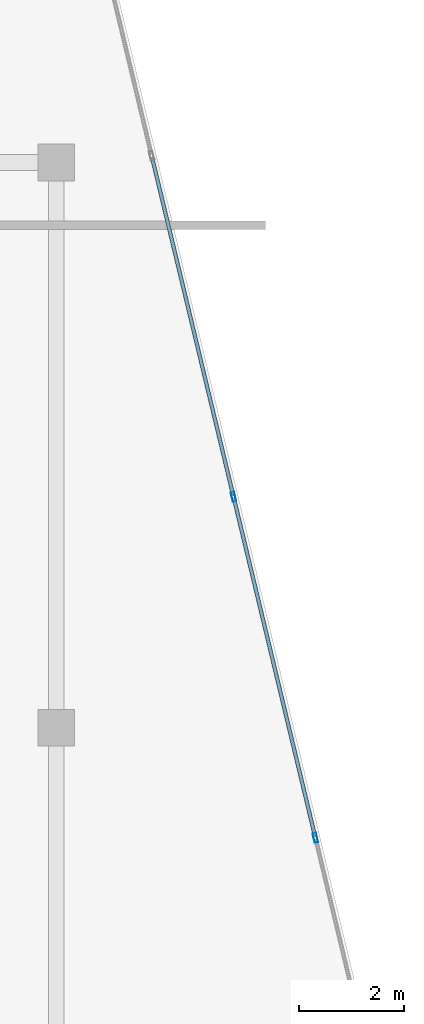
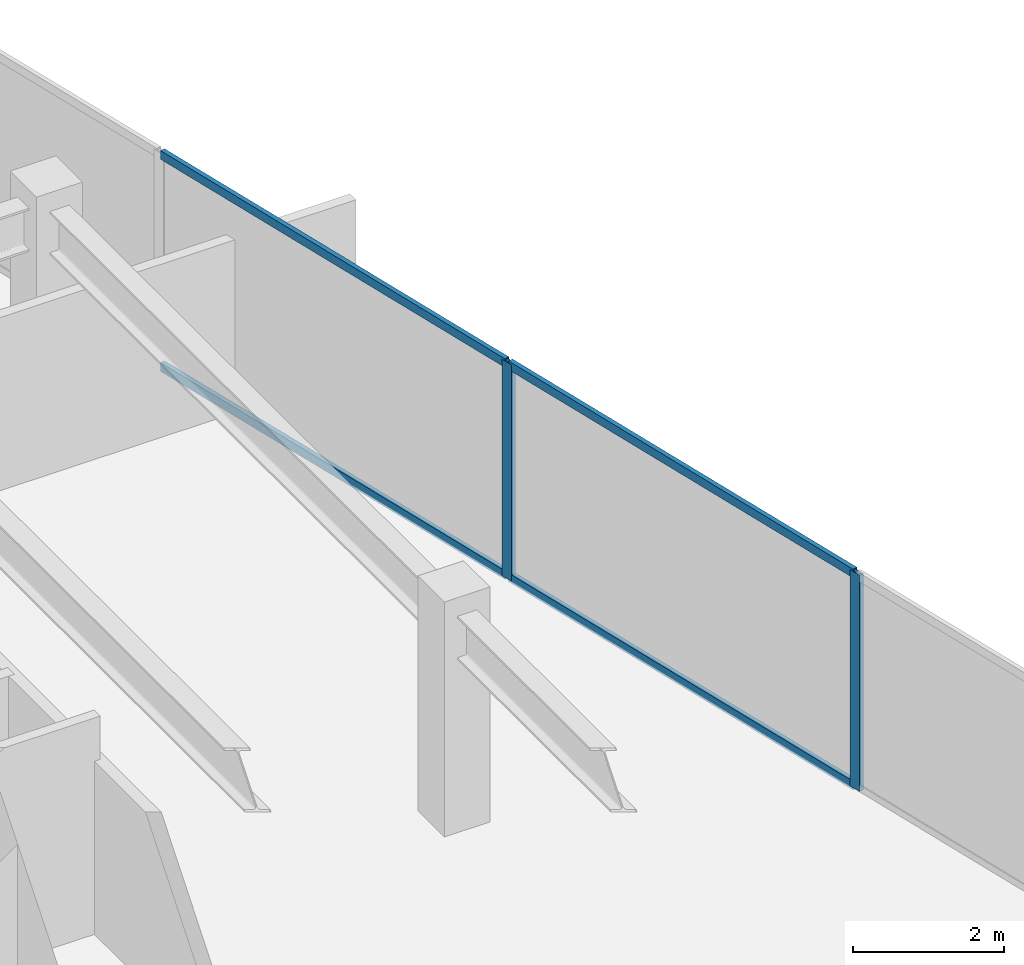
# One storey, part 11 of 19: 6 members, 1 element without a shape of its own.
"""IFC4 building model written with IfcOpenShell, lengths in metres."""

from ifc_helpers import new_model, si_unit, direction, frame, origin, origin_2d, place, context, subcontext, project, spatial, hollow_rectangle, extrude, source, transform, mapped, material, material_profile, profile_set, type_object, type_shapes, element, aggregate, save


model = new_model("IFC4")

# Units and contexts
model_context = context("Model", 3, precision=1e-05, world=origin(), true_north=direction((0.0, 1.0)))
body_context = subcontext(model_context, "Body", "Model", "MODEL_VIEW")
ifc_project = project(units=[si_unit("LENGTHUNIT", "METRE"), si_unit("AREAUNIT", "SQUARE_METRE"), si_unit("VOLUMEUNIT", "CUBIC_METRE"), si_unit("PLANEANGLEUNIT", "RADIAN"), si_unit("MASSUNIT", "GRAM", prefix="KILO")], contexts=[model_context])

# Site, building, storey
site_placement = place(None, origin())
site = spatial("IfcSite", under=ifc_project, at=site_placement, CompositionType="ELEMENT")
building_placement = place(site_placement, origin())
building = spatial("IfcBuilding", under=site, at=building_placement, Name="Krantzveldt Concourse Tower", CompositionType="ELEMENT")
storey_placement = place(building_placement, frame((0.0, 0.0, 363.25)))
storey = spatial("IfcBuildingStorey", under=building, at=storey_placement, Name="L89", CompositionType="ELEMENT", Elevation=363.25)

# Curtain wall, members
ifc_material = material(Name="Anodised aluminium 6063-T6", Category="aluminium")
curtain_wall_type = type_object("IfcCurtainWallType", Name="CW7", PredefinedType="USERDEFINED", material=ifc_material)
curtain_wall_placement = place(storey_placement, origin())
curtain_wall = element("IfcCurtainWall", 1, at=curtain_wall_placement, inside=storey, type_object=curtain_wall_type, Name="CW-L89-BASE-10", ObjectType="UNITISED CURTAIN WALL", PredefinedType="USERDEFINED")
ifc_material_profile_1 = material_profile(ifc_material, hollow_rectangle(XDim=0.070068359375, YDim=0.139892578125, WallThickness=0.0048828125, at=origin_2d()), Name="Anodised aluminium 6063-T6", Category="aluminium")
ifc_profile_set_1 = profile_set([ifc_material_profile_1], Name="Anodised aluminium 6063-T6 - ALU-TRAN 140x70x5")
member_type_1 = type_object("IfcMemberType", Name="CW-TRN-150", PredefinedType="USERDEFINED", material=ifc_profile_set_1)
shared_shape_1 = source(origin(), body_context, "Body", "SweptSolid", [
    extrude(hollow_rectangle(XDim=0.070068359375, YDim=0.139892578125, WallThickness=0.0048828125, at=origin_2d()), origin(), (0.0, 0.0, 1.0), 6.6298828125),
])
type_shapes(member_type_1, [shared_shape_1])
member_1_placement = place(storey_placement, frame((55.943359375, 24.633544921875, 0.034912109375), z_axis=(-0.233427268888, 0.972374264437, 0.0), x_axis=(-0.972374264437, -0.233427268888, 0.0)))
member_1 = element("IfcMember", 2, at=member_1_placement, type_object=member_type_1, Name="CW-CRN transom 2.1", ObjectType="TRANSOM", PredefinedType="USERDEFINED", context=body_context, shape_type="MappedRepresentation", body=[
    mapped(shared_shape_1, transform((0.0, 0.0, 0.0), x_axis=(1.0, 0.0, 0.0), y_axis=(0.0, 1.0, 0.0), z_axis=(0.0, 0.0, 1.0), scale=1.0)),
])
member_2_placement = place(storey_placement, frame((55.943359375, 24.633544921875, 3.465087890625), z_axis=(-0.233427268888, 0.972374264437, 0.0), x_axis=(-0.972374264437, -0.233427268888, 0.0)))
member_2 = element("IfcMember", 3, at=member_2_placement, type_object=member_type_1, Name="CW-CRN transom 2.2", ObjectType="TRANSOM", PredefinedType="USERDEFINED", context=body_context, shape_type="MappedRepresentation", body=[
    mapped(shared_shape_1, transform((0.0, 0.0, 0.0), x_axis=(1.0, 0.0, 0.0), y_axis=(0.0, 1.0, 0.0), z_axis=(0.0, 0.0, 1.0), scale=1.0)),
])
member_3_placement = place(storey_placement, frame((54.37939453125, 31.1484375, 0.034912109375), z_axis=(-0.233462085953, 0.972365905625, 0.0), x_axis=(-0.972365905625, -0.233462085953, 0.0)))
member_3 = element("IfcMember", 4, at=member_3_placement, type_object=member_type_1, Name="CW-CRN transom 3.1", ObjectType="TRANSOM", PredefinedType="USERDEFINED", context=body_context, shape_type="MappedRepresentation", body=[
    mapped(shared_shape_1, transform((0.0, 0.0, 0.0), x_axis=(1.0, 0.0, 0.0), y_axis=(0.0, 1.0, 0.0), z_axis=(0.0, 0.0, 1.0), scale=1.0)),
])
member_4_placement = place(storey_placement, frame((54.37939453125, 31.1484375, 3.465087890625), z_axis=(-0.233462085953, 0.972365905625, 0.0), x_axis=(-0.972365905625, -0.233462085953, 0.0)))
member_4 = element("IfcMember", 5, at=member_4_placement, type_object=member_type_1, Name="CW-CRN transom 3.2", ObjectType="TRANSOM", PredefinedType="USERDEFINED", context=body_context, shape_type="MappedRepresentation", body=[
    mapped(shared_shape_1, transform((0.0, 0.0, 0.0), x_axis=(1.0, 0.0, 0.0), y_axis=(0.0, 1.0, 0.0), z_axis=(0.0, 0.0, 1.0), scale=1.0)),
])
ifc_material_profile_2 = material_profile(ifc_material, hollow_rectangle(XDim=0.070068359375, YDim=0.179931640625, WallThickness=0.0048828125, at=origin_2d()), Name="Anodised aluminium 6063-T6", Category="aluminium")
ifc_profile_set_2 = profile_set([ifc_material_profile_2], Name="Anodised aluminium 6063-T6 - ALU-MULL 180x70x5")
member_type_2 = type_object("IfcMemberType", Name="CW-MUL-180", PredefinedType="MULLION", material=ifc_profile_set_2)
shared_shape_2 = source(origin(), body_context, "Body", "SweptSolid", [
    extrude(hollow_rectangle(XDim=0.070068359375, YDim=0.179931640625, WallThickness=0.0048828125, at=origin_2d()), origin(), (0.0, 0.0, 1.0), 3.5),
])
type_shapes(member_type_2, [shared_shape_2])
member_5_placement = place(storey_placement, frame((55.95166015625, 24.599609375, 0.0), z_axis=(0.0, 0.0, 1.0), x_axis=(-0.972369896884, -0.233445461796, 0.0)))
member_5 = element("IfcMember", 6, at=member_5_placement, type_object=member_type_2, Name="CW-CRN mullion 2", PredefinedType="MULLION", context=body_context, shape_type="MappedRepresentation", body=[
    mapped(shared_shape_2, transform((0.0, 0.0, 0.0), x_axis=(1.0, 0.0, 0.0), y_axis=(0.0, 1.0, 0.0), z_axis=(0.0, 0.0, 1.0), scale=1.0)),
])
member_6_placement = place(storey_placement, frame((54.387451171875, 31.114501953125, 0.0), z_axis=(0.0, 0.0, 1.0), x_axis=(-0.972369896884, -0.233445461796, 0.0)))
member_6 = element("IfcMember", 7, at=member_6_placement, type_object=member_type_2, Name="CW-CRN mullion 3", PredefinedType="MULLION", context=body_context, shape_type="MappedRepresentation", body=[
    mapped(shared_shape_2, transform((0.0, 0.0, 0.0), x_axis=(1.0, 0.0, 0.0), y_axis=(0.0, 1.0, 0.0), z_axis=(0.0, 0.0, 1.0), scale=1.0)),
])
aggregate(curtain_wall, [member_5, member_6, member_1, member_2, member_3, member_4])

save(model, "model.ifc")
